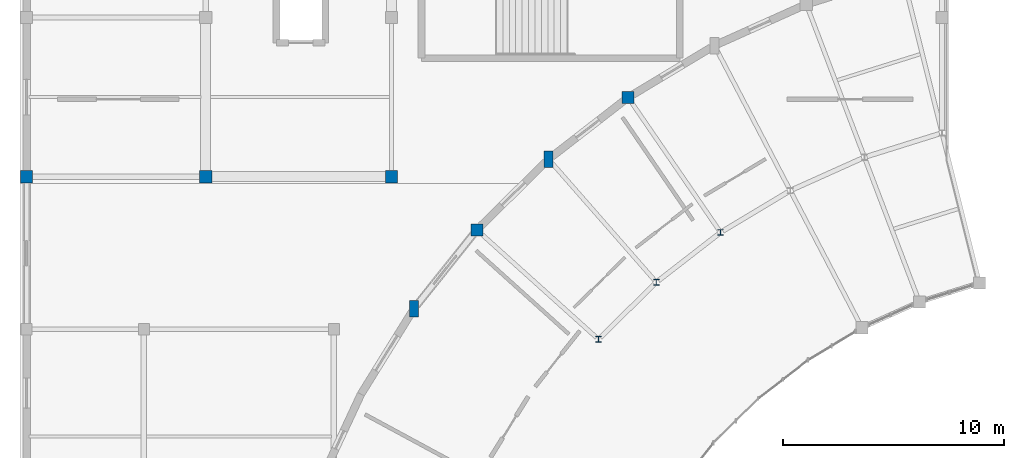
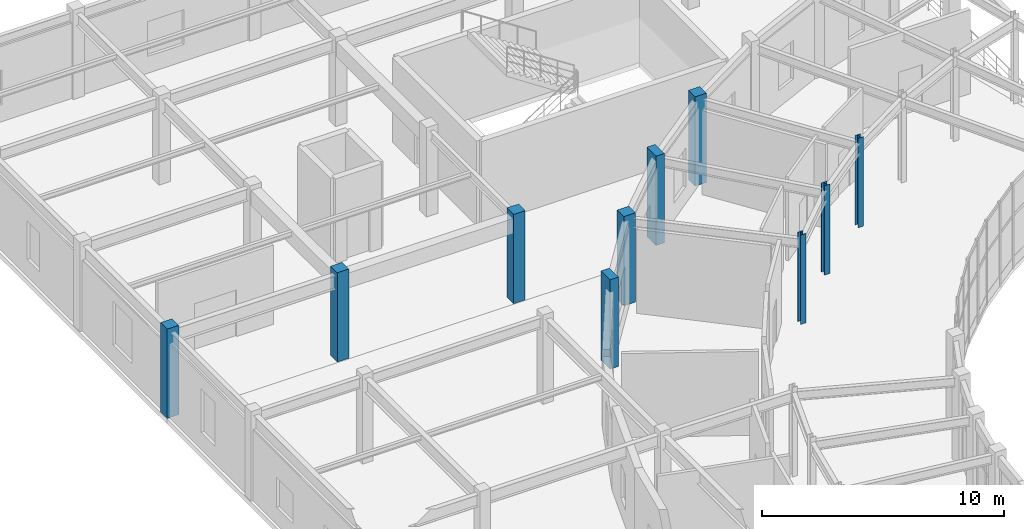
# One storey, part 12 of 112: 10 columns.
"""IFC4 building model written with IfcOpenShell, lengths in metres."""

from ifc_helpers import new_model, si_unit, direction, frame, origin, origin_2d, place, context, subcontext, project, spatial, rectangle, i_section, extrude, material, material_profile, profile_set, type_object, element, save


model = new_model("IFC4")

# Units and contexts
model_context = context("Model", 3, precision=1e-05, world=origin(), true_north=direction((0.0, 1.0)))
body_context = subcontext(model_context, "Body", "Model", "MODEL_VIEW")
ifc_project = project(units=[si_unit("LENGTHUNIT", "METRE"), si_unit("AREAUNIT", "SQUARE_METRE"), si_unit("VOLUMEUNIT", "CUBIC_METRE"), si_unit("PLANEANGLEUNIT", "RADIAN"), si_unit("MASSUNIT", "GRAM", prefix="KILO")], contexts=[model_context])

# Site, building, storey
site_placement = place(None, origin())
site = spatial("IfcSite", under=ifc_project, at=site_placement, CompositionType="ELEMENT")
building_placement = place(site_placement, origin())
building = spatial("IfcBuilding", under=site, at=building_placement, Name="Cinderbank Siding Concert Hall", CompositionType="ELEMENT")
storey_placement = place(building_placement, frame((0.0, 0.0, 10.199951171875)))
storey = spatial("IfcBuildingStorey", under=building, at=storey_placement, Name="L03", CompositionType="ELEMENT", Elevation=10.199951171875)

# Columns
ifc_material_1 = material(Name="Reinforced concrete AS 3600 N50 (50 MPa)", Category="concrete")
ifc_material_profile_1 = material_profile(ifc_material_1, rectangle(XDim=0.550048828125, YDim=0.550048828125, at=origin_2d()), Name="RC-COL-550x550", Category="LoadBearing")
ifc_profile_set_1 = profile_set([ifc_material_profile_1], Name="Reinforced concrete AS 3600 N50 (50 MPa)")
column_type_1 = type_object("IfcColumnType", Name="C-RC550 RC-COL-550x550", PredefinedType="COLUMN", material=ifc_profile_set_1)
for number, where, z_axis, x_axis, name in (
    (1, (34.304931640625, 99.68408203125, 0.0), (0.0, 0.0, 1.0), (1.0, 0.0, 0.0), "L03 Column COL-WOUT-04"),
    (2, (27.462890625, 93.695068359375, 0.0), (0.0, 0.0, 1.0), (1.0, 0.0, 0.0), "L03 Column COL-WOUT-06"),
    (3, (7.10009765625, 96.10009765625, 0.0), (0.0, 0.0, 1.0), (1.0, 0.0, 0.0), "L03 Column COL-NW-1-1"),
    (4, (15.199951171875, 96.10009765625, 0.0), (0.0, 0.0, 1.0), (1.0, 0.0, 0.0), "L03 Column COL-NW-2-1"),
    (5, (23.60009765625, 96.10009765625, 0.0), (0.0, 0.0, 1.0), (1.0, 0.0, 0.0), "L03 Column COL-NW-3-1"),
):
    element("IfcColumn", number, at=place(storey_placement, frame(where, z_axis=z_axis, x_axis=x_axis)), inside=storey, type_object=column_type_1, Name=name, PredefinedType="COLUMN", context=body_context, shape_type="SweptSolid", body=[
        extrude(rectangle(XDim=0.550048828125, YDim=0.550048828125, at=origin_2d()), origin(), (0.0, 0.0, 1.0), 4.5),
    ])
ifc_material_2 = material(Name="Structural steel AS/NZS 3679.1 Grade 350 (340 MPa)", Category="steel")
ifc_material_profile_2 = material_profile(ifc_material_2, i_section(OverallWidth=0.256103515625, OverallDepth=0.260009765625, WebThickness=0.010498046875, FlangeThickness=0.017333984375, at=origin_2d()), Name="250UC89.5", Category="LoadBearing")
ifc_profile_set_2 = profile_set([ifc_material_profile_2], Name="Structural steel AS/NZS 3679.1 Grade 350 (340 MPa)")
column_type_2 = type_object("IfcColumnType", Name="C-UC250H 250UC89.5", PredefinedType="COLUMN", material=ifc_profile_set_2)
for number, where, z_axis, x_axis, name in (
    (6, (38.486083984375, 93.5791015625, 0.0), (0.0, 0.0, 1.0), (1.0, 0.0, 0.0), "L03 Column COL-WMID-04"),
    (7, (35.5810546875, 91.324951171875, 0.0), (0.0, 0.0, 1.0), (1.0, 0.0, 0.0), "L03 Column COL-WMID-05"),
    (8, (32.9619140625, 88.742919921875, 0.0), (0.0, 0.0, 1.0), (1.0, 0.0, 0.0), "L03 Column COL-WMID-06"),
):
    element("IfcColumn", number, at=place(storey_placement, frame(where, z_axis=z_axis, x_axis=x_axis)), inside=storey, type_object=column_type_2, Name=name, PredefinedType="COLUMN", context=body_context, shape_type="SweptSolid", body=[
        extrude(i_section(OverallWidth=0.256103515625, OverallDepth=0.260009765625, WebThickness=0.010498046875, FlangeThickness=0.017333984375, at=origin_2d()), origin(), (0.0, 0.0, 1.0), 4.5),
    ])
ifc_material_profile_3 = material_profile(ifc_material_1, rectangle(XDim=0.39990234375, YDim=0.75, at=origin_2d()), Name="RC-PIER-400x750", Category="LoadBearing")
ifc_profile_set_3 = profile_set([ifc_material_profile_3], Name="Reinforced concrete AS 3600 N50 (50 MPa)")
column_type_3 = type_object("IfcColumnType", Name="PL-RC750 RC-PIER-400x750", PredefinedType="PILASTER", material=ifc_profile_set_3)
for number, where, z_axis, x_axis, name in (
    (9, (30.7060546875, 96.89306640625, 0.0), (0.0, 0.0, 1.0), (1.0, 0.0, 0.0), "L03 Column COL-WOUT-05"),
    (10, (24.6220703125, 90.135009765625, 0.0), (0.0, 0.0, 1.0), (1.0, 0.0, 0.0), "L03 Column COL-WOUT-07"),
):
    element("IfcColumn", number, at=place(storey_placement, frame(where, z_axis=z_axis, x_axis=x_axis)), inside=storey, type_object=column_type_3, Name=name, PredefinedType="PILASTER", context=body_context, shape_type="SweptSolid", body=[
        extrude(rectangle(XDim=0.39990234375, YDim=0.75, at=origin_2d()), origin(), (0.0, 0.0, 1.0), 4.5),
    ])

save(model, "model.ifc")
